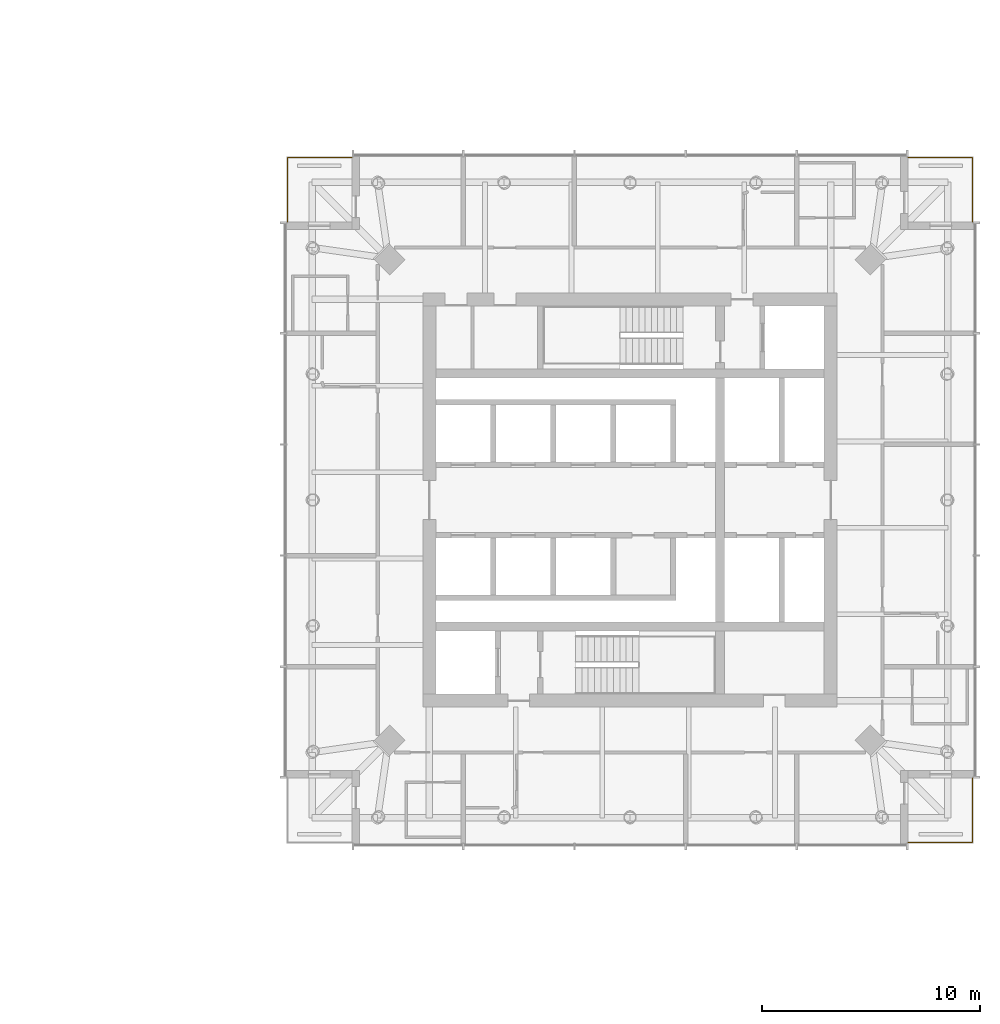
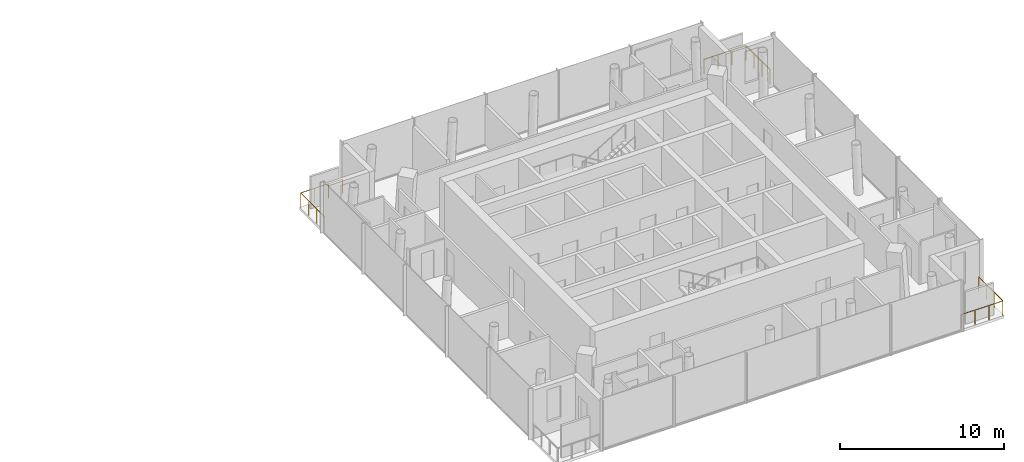
# One storey, part 18 of 18: 3 railings.
"""IFC4 building model written with IfcOpenShell, lengths in metres."""

from ifc_helpers import new_model, si_unit, direction, frame, origin, origin_2d, place, context, subcontext, project, spatial, circle, extrude, material, type_object, element, save


model = new_model("IFC4")

# Units and contexts
model_context = context("Model", 3, precision=1e-05, world=origin(), true_north=direction((0.0, 1.0)))
body_context = subcontext(model_context, "Body", "Model", "MODEL_VIEW")
ifc_project = project(units=[si_unit("LENGTHUNIT", "METRE"), si_unit("AREAUNIT", "SQUARE_METRE"), si_unit("VOLUMEUNIT", "CUBIC_METRE"), si_unit("PLANEANGLEUNIT", "RADIAN"), si_unit("MASSUNIT", "GRAM", prefix="KILO")], contexts=[model_context])

# Site, building, storey
site_placement = place(None, origin())
site = spatial("IfcSite", under=ifc_project, at=site_placement, CompositionType="ELEMENT")
building_placement = place(site_placement, origin())
building = spatial("IfcBuilding", under=site, at=building_placement, Name="Ostroluk Exchange", CompositionType="ELEMENT")
storey_placement = place(building_placement, frame((0.0, 0.0, 123.60009765625)))
storey = spatial("IfcBuildingStorey", under=building, at=storey_placement, Name="L31", CompositionType="ELEMENT", Elevation=123.60009765625)

# Railings
ifc_material = material(Name="Stainless steel", Category="steel")
railing_type = type_object("IfcRailingType", Name="Guard 1100 stainless steel", PredefinedType="GUARDRAIL", material=ifc_material)
railing_1_placement = place(storey_placement, frame((129.75, 30.300048828125, 0.0)))
element("IfcRailing", 1, at=railing_1_placement, inside=storey, type_object=railing_type, Name="Hotel tower SE balcony guard L31", PredefinedType="GUARDRAIL", context=body_context, shape_type="SweptSolid", body=[
    extrude(circle(Radius=0.02392578125, at=origin_2d()), frame((0.0, 0.0, 1.076171875), z_axis=(1.0, 0.0, 0.0), x_axis=(0.0, 1.0, 0.0)), (0.0, 0.0, 1.0), 2.949951171875),
    extrude(circle(Radius=0.02392578125, at=origin_2d()), frame((2.949951171875, 0.0, 1.076171875), z_axis=(0.0, 1.0, 0.0), x_axis=(-1.0, 0.0, 0.0)), (0.0, 0.0, 1.0), 2.949951171875),
    extrude(circle(Radius=0.02099609375, at=origin_2d()), origin(), (0.0, 0.0, 1.0), 1.052001953125),
    extrude(circle(Radius=0.02099609375, at=origin_2d()), frame((0.9833984375, 0.0, 0.0)), (0.0, 0.0, 1.0), 1.052001953125),
    extrude(circle(Radius=0.02099609375, at=origin_2d()), frame((1.966552734375, 0.0, 0.0)), (0.0, 0.0, 1.0), 1.052001953125),
    extrude(circle(Radius=0.02099609375, at=origin_2d()), frame((2.949951171875, 0.0, 0.0)), (0.0, 0.0, 1.0), 1.052001953125),
    extrude(circle(Radius=0.02099609375, at=origin_2d()), frame((2.949951171875, 0.9833984375, 0.0)), (0.0, 0.0, 1.0), 1.052001953125),
    extrude(circle(Radius=0.02099609375, at=origin_2d()), frame((2.949951171875, 1.966552734375, 0.0)), (0.0, 0.0, 1.0), 1.052001953125),
    extrude(circle(Radius=0.02099609375, at=origin_2d()), frame((2.949951171875, 2.949951171875, 0.0)), (0.0, 0.0, 1.0), 1.052001953125),
])
railing_2_placement = place(storey_placement, frame((129.75, 61.699951171875, 0.0)))
element("IfcRailing", 2, at=railing_2_placement, inside=storey, type_object=railing_type, Name="Hotel tower NE balcony guard L31", PredefinedType="GUARDRAIL", context=body_context, shape_type="SweptSolid", body=[
    extrude(circle(Radius=0.02392578125, at=origin_2d()), frame((0.0, 0.0, 1.076171875), z_axis=(1.0, 0.0, 0.0), x_axis=(0.0, 1.0, 0.0)), (0.0, 0.0, 1.0), 2.949951171875),
    extrude(circle(Radius=0.02392578125, at=origin_2d()), frame((2.949951171875, 0.0, 1.076171875), z_axis=(0.0, -1.0, 0.0), x_axis=(1.0, 0.0, 0.0)), (0.0, 0.0, 1.0), 2.949951171875),
    extrude(circle(Radius=0.02099609375, at=origin_2d()), origin(), (0.0, 0.0, 1.0), 1.052001953125),
    extrude(circle(Radius=0.02099609375, at=origin_2d()), frame((0.9833984375, 0.0, 0.0)), (0.0, 0.0, 1.0), 1.052001953125),
    extrude(circle(Radius=0.02099609375, at=origin_2d()), frame((1.966552734375, 0.0, 0.0)), (0.0, 0.0, 1.0), 1.052001953125),
    extrude(circle(Radius=0.02099609375, at=origin_2d()), frame((2.949951171875, 0.0, 0.0)), (0.0, 0.0, 1.0), 1.052001953125),
    extrude(circle(Radius=0.02099609375, at=origin_2d()), frame((2.949951171875, -0.9833984375, 0.0)), (0.0, 0.0, 1.0), 1.052001953125),
    extrude(circle(Radius=0.02099609375, at=origin_2d()), frame((2.949951171875, -1.966552734375, 0.0)), (0.0, 0.0, 1.0), 1.052001953125),
    extrude(circle(Radius=0.02099609375, at=origin_2d()), frame((2.949951171875, -2.949951171875, 0.0)), (0.0, 0.0, 1.0), 1.052001953125),
])
railing_3_placement = place(storey_placement, frame((104.25, 61.699951171875, 0.0)))
element("IfcRailing", 3, at=railing_3_placement, inside=storey, type_object=railing_type, Name="Hotel tower NW balcony guard L31", PredefinedType="GUARDRAIL", context=body_context, shape_type="SweptSolid", body=[
    extrude(circle(Radius=0.02392578125, at=origin_2d()), frame((0.0, 0.0, 1.076171875), z_axis=(-1.0, 0.0, 0.0), x_axis=(0.0, -1.0, 0.0)), (0.0, 0.0, 1.0), 2.949951171875),
    extrude(circle(Radius=0.02392578125, at=origin_2d()), frame((-2.949951171875, 0.0, 1.076171875), z_axis=(0.0, -1.0, 0.0), x_axis=(1.0, 0.0, 0.0)), (0.0, 0.0, 1.0), 2.949951171875),
    extrude(circle(Radius=0.02099609375, at=origin_2d()), origin(), (0.0, 0.0, 1.0), 1.052001953125),
    extrude(circle(Radius=0.02099609375, at=origin_2d()), frame((-0.9833984375, 0.0, 0.0)), (0.0, 0.0, 1.0), 1.052001953125),
    extrude(circle(Radius=0.02099609375, at=origin_2d()), frame((-1.966552734375, 0.0, 0.0)), (0.0, 0.0, 1.0), 1.052001953125),
    extrude(circle(Radius=0.02099609375, at=origin_2d()), frame((-2.949951171875, 0.0, 0.0)), (0.0, 0.0, 1.0), 1.052001953125),
    extrude(circle(Radius=0.02099609375, at=origin_2d()), frame((-2.949951171875, -0.9833984375, 0.0)), (0.0, 0.0, 1.0), 1.052001953125),
    extrude(circle(Radius=0.02099609375, at=origin_2d()), frame((-2.949951171875, -1.966552734375, 0.0)), (0.0, 0.0, 1.0), 1.052001953125),
    extrude(circle(Radius=0.02099609375, at=origin_2d()), frame((-2.949951171875, -2.949951171875, 0.0)), (0.0, 0.0, 1.0), 1.052001953125),
])

save(model, "model.ifc")
